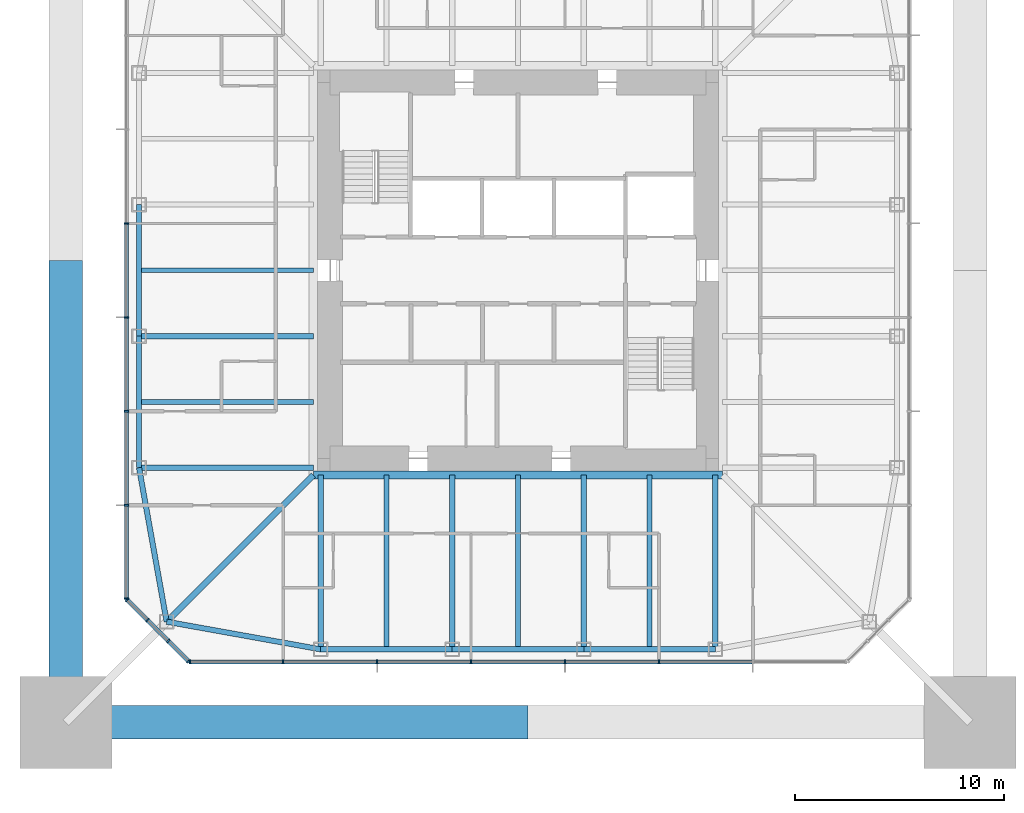
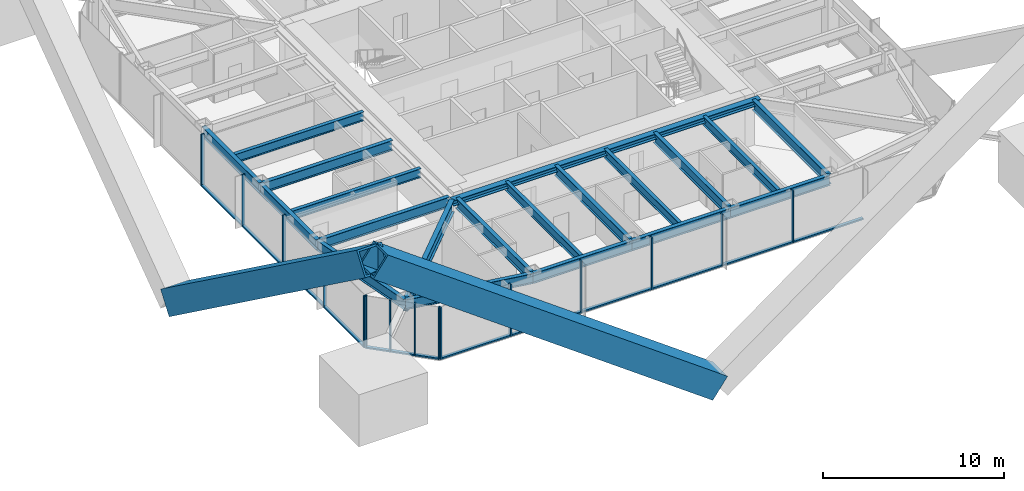
# One storey, part 2 of 13: 30 members, 20 beams, 3 elements without a shape of their own.
"""IFC4 building model written with IfcOpenShell, lengths in metres."""

from ifc_helpers import new_model, si_unit, direction, frame, origin, origin_2d, place, context, subcontext, project, spatial, rectangle, hollow_rectangle, i_section, extrude, material, material_profile, profile_set, type_object, element, aggregate, save


model = new_model("IFC4")

# Units and contexts
model_context = context("Model", 3, precision=1e-05, world=origin(), true_north=direction((0.0, 1.0)))
body_context = subcontext(model_context, "Body", "Model", "MODEL_VIEW")
ifc_project = project(units=[si_unit("LENGTHUNIT", "METRE"), si_unit("AREAUNIT", "SQUARE_METRE"), si_unit("VOLUMEUNIT", "CUBIC_METRE"), si_unit("PLANEANGLEUNIT", "RADIAN"), si_unit("MASSUNIT", "GRAM", prefix="KILO")], contexts=[model_context])

# Site, building, storey
site_placement = place(None, origin())
site = spatial("IfcSite", under=ifc_project, at=site_placement, CompositionType="ELEMENT")
building_placement = place(site_placement, origin())
building = spatial("IfcBuilding", under=site, at=building_placement, Name="Iwan Alto Co-Living Towers", CompositionType="ELEMENT")
storey_placement = place(building_placement, frame((0.0, 0.0, 198.5)))
storey = spatial("IfcBuildingStorey", under=building, at=storey_placement, Name="L54", CompositionType="ELEMENT", Elevation=198.5)

# Curtain wall, members
ifc_material_1 = material(Name="Bronze aluminium unitised frame", Category="aluminium")
curtain_wall_type_1 = type_object("IfcCurtainWallType", Name="CURTAIN WALL CW-A", PredefinedType="NOTDEFINED", material=ifc_material_1)
curtain_wall_1_placement = place(storey_placement, origin())
curtain_wall_1 = element("IfcCurtainWall", 1, at=curtain_wall_1_placement, inside=storey, type_object=curtain_wall_type_1, Name="T1 curtain wall S L54", PredefinedType="NOTDEFINED")
ifc_material_2 = material(Name="Aluminium 6063-T6 bronze anodised", Category="aluminium")
ifc_material_profile_1 = material_profile(ifc_material_2, rectangle(XDim=0.199951171875, YDim=0.080078125, at=origin_2d()), Name="AL 80X200")
ifc_profile_set_1 = profile_set([ifc_material_profile_1], Name="Aluminium 6063-T6 bronze anodised")
member_type_1 = type_object("IfcMemberType", Name="CW-A MULLION 80X200", PredefinedType="MULLION", material=ifc_profile_set_1)
member_1_placement = place(storey_placement, frame((-15.7099609375, -18.75, 0.0), z_axis=(0.0, 0.0, 1.0), x_axis=(0.0, 1.0, 0.0)))
member_1 = element("IfcMember", 2, at=member_1_placement, type_object=member_type_1, Name="CW-A mullion 1", PredefinedType="MULLION", context=body_context, shape_type="SweptSolid", body=[
    extrude(rectangle(XDim=0.199951171875, YDim=0.080078125, at=origin_2d()), origin(), (0.0, 0.0, 1.0), 3.5),
])
member_2_placement = place(storey_placement, frame((-11.25, -18.75, 0.0), z_axis=(0.0, 0.0, 1.0), x_axis=(0.0, 1.0, 0.0)))
member_2 = element("IfcMember", 3, at=member_2_placement, type_object=member_type_1, Name="CW-A mullion 2", PredefinedType="MULLION", context=body_context, shape_type="SweptSolid", body=[
    extrude(rectangle(XDim=0.199951171875, YDim=0.080078125, at=origin_2d()), origin(), (0.0, 0.0, 1.0), 3.5),
])
member_3_placement = place(storey_placement, frame((-6.75, -18.75, 0.0), z_axis=(0.0, 0.0, 1.0), x_axis=(0.0, 1.0, 0.0)))
member_3 = element("IfcMember", 4, at=member_3_placement, type_object=member_type_1, Name="CW-A mullion 3", PredefinedType="MULLION", context=body_context, shape_type="SweptSolid", body=[
    extrude(rectangle(XDim=0.199951171875, YDim=0.080078125, at=origin_2d()), origin(), (0.0, 0.0, 1.0), 3.5),
])
member_4_placement = place(storey_placement, frame((-2.25, -18.75, 0.0), z_axis=(0.0, 0.0, 1.0), x_axis=(0.0, 1.0, 0.0)))
member_4 = element("IfcMember", 5, at=member_4_placement, type_object=member_type_1, Name="CW-A mullion 4", PredefinedType="MULLION", context=body_context, shape_type="SweptSolid", body=[
    extrude(rectangle(XDim=0.199951171875, YDim=0.080078125, at=origin_2d()), origin(), (0.0, 0.0, 1.0), 3.5),
])
member_5_placement = place(storey_placement, frame((2.25, -18.75, 0.0), z_axis=(0.0, 0.0, 1.0), x_axis=(0.0, 1.0, 0.0)))
member_5 = element("IfcMember", 6, at=member_5_placement, type_object=member_type_1, Name="CW-A mullion 5", PredefinedType="MULLION", context=body_context, shape_type="SweptSolid", body=[
    extrude(rectangle(XDim=0.199951171875, YDim=0.080078125, at=origin_2d()), origin(), (0.0, 0.0, 1.0), 3.5),
])
member_6_placement = place(storey_placement, frame((6.75, -18.75, 0.0), z_axis=(0.0, 0.0, 1.0), x_axis=(0.0, 1.0, 0.0)))
member_6 = element("IfcMember", 7, at=member_6_placement, type_object=member_type_1, Name="CW-A mullion 6", PredefinedType="MULLION", context=body_context, shape_type="SweptSolid", body=[
    extrude(rectangle(XDim=0.199951171875, YDim=0.080078125, at=origin_2d()), origin(), (0.0, 0.0, 1.0), 3.5),
])

curtain_wall_2_placement = place(storey_placement, origin())
curtain_wall_2 = element("IfcCurtainWall", 8, at=curtain_wall_2_placement, inside=storey, type_object=curtain_wall_type_1, Name="T1 curtain wall W L54", PredefinedType="NOTDEFINED")
member_7_placement = place(storey_placement, frame((-18.75, 2.25, 0.0), z_axis=(0.0, 0.0, 1.0), x_axis=(1.0, 0.0, 0.0)))
member_7 = element("IfcMember", 9, at=member_7_placement, type_object=member_type_1, Name="CW-A mullion 4", PredefinedType="MULLION", context=body_context, shape_type="SweptSolid", body=[
    extrude(rectangle(XDim=0.199951171875, YDim=0.080078125, at=origin_2d()), origin(), (0.0, 0.0, 1.0), 3.5),
])
member_8_placement = place(storey_placement, frame((-18.75, -2.25, 0.0), z_axis=(0.0, 0.0, 1.0), x_axis=(1.0, 0.0, 0.0)))
member_8 = element("IfcMember", 10, at=member_8_placement, type_object=member_type_1, Name="CW-A mullion 5", PredefinedType="MULLION", context=body_context, shape_type="SweptSolid", body=[
    extrude(rectangle(XDim=0.199951171875, YDim=0.080078125, at=origin_2d()), origin(), (0.0, 0.0, 1.0), 3.5),
])
member_9_placement = place(storey_placement, frame((-18.75, -6.75, 0.0), z_axis=(0.0, 0.0, 1.0), x_axis=(1.0, 0.0, 0.0)))
member_9 = element("IfcMember", 11, at=member_9_placement, type_object=member_type_1, Name="CW-A mullion 6", PredefinedType="MULLION", context=body_context, shape_type="SweptSolid", body=[
    extrude(rectangle(XDim=0.199951171875, YDim=0.080078125, at=origin_2d()), origin(), (0.0, 0.0, 1.0), 3.5),
])
member_10_placement = place(storey_placement, frame((-18.75, -11.25, 0.0), z_axis=(0.0, 0.0, 1.0), x_axis=(1.0, 0.0, 0.0)))
member_10 = element("IfcMember", 12, at=member_10_placement, type_object=member_type_1, Name="CW-A mullion 7", PredefinedType="MULLION", context=body_context, shape_type="SweptSolid", body=[
    extrude(rectangle(XDim=0.199951171875, YDim=0.080078125, at=origin_2d()), origin(), (0.0, 0.0, 1.0), 3.5),
])
member_11_placement = place(storey_placement, frame((-18.75, -15.7099609375, 0.0), z_axis=(0.0, 0.0, 1.0), x_axis=(1.0, 0.0, 0.0)))
member_11 = element("IfcMember", 13, at=member_11_placement, type_object=member_type_1, Name="CW-A mullion 8", PredefinedType="MULLION", context=body_context, shape_type="SweptSolid", body=[
    extrude(rectangle(XDim=0.199951171875, YDim=0.080078125, at=origin_2d()), origin(), (0.0, 0.0, 1.0), 3.5),
])

# Member
ifc_material_3 = material(Name="Aluminium 6063-T6 bronze anodised", Category="aluminium")
ifc_material_profile_2 = material_profile(ifc_material_3, rectangle(XDim=0.199951171875, YDim=0.10009765625, at=origin_2d()), Name="AL 200X100")
ifc_profile_set_2 = profile_set([ifc_material_profile_2], Name="Aluminium 6063-T6 bronze anodised")
member_type_2 = type_object("IfcMemberType", Name="CW-A TRANSOM 200X100", PredefinedType="USERDEFINED", material=ifc_profile_set_2)
member_12_placement = place(storey_placement, frame((-15.669921875, -18.75, 0.050048828125), z_axis=(1.0, 0.0, 0.0), x_axis=(0.0, 1.0, 0.0)))
member_12 = element("IfcMember", 14, at=member_12_placement, type_object=member_type_2, Name="CW-A transom 1.1", ObjectType="TRANSOM", PredefinedType="USERDEFINED", context=body_context, shape_type="SweptSolid", body=[
    extrude(rectangle(XDim=0.199951171875, YDim=0.10009765625, at=origin_2d()), origin(), (0.0, 0.0, 1.0), 4.3798828125),
])

member_13_placement = place(storey_placement, frame((-11.2099609375, -18.75, 0.050048828125), z_axis=(1.0, 0.0, 0.0), x_axis=(0.0, 1.0, 0.0)))
member_13 = element("IfcMember", 15, at=member_13_placement, type_object=member_type_2, Name="CW-A transom 2.1", ObjectType="TRANSOM", PredefinedType="USERDEFINED", context=body_context, shape_type="SweptSolid", body=[
    extrude(rectangle(XDim=0.199951171875, YDim=0.10009765625, at=origin_2d()), origin(), (0.0, 0.0, 1.0), 4.419921875),
])

member_14_placement = place(storey_placement, frame((-6.7099609375, -18.75, 0.050048828125), z_axis=(1.0, 0.0, 0.0), x_axis=(0.0, 1.0, 0.0)))
member_14 = element("IfcMember", 16, at=member_14_placement, type_object=member_type_2, Name="CW-A transom 3.1", ObjectType="TRANSOM", PredefinedType="USERDEFINED", context=body_context, shape_type="SweptSolid", body=[
    extrude(rectangle(XDim=0.199951171875, YDim=0.10009765625, at=origin_2d()), origin(), (0.0, 0.0, 1.0), 4.419921875),
])

member_15_placement = place(storey_placement, frame((-2.2099609375, -18.75, 0.050048828125), z_axis=(1.0, 0.0, 0.0), x_axis=(0.0, 1.0, 0.0)))
member_15 = element("IfcMember", 17, at=member_15_placement, type_object=member_type_2, Name="CW-A transom 4.1", ObjectType="TRANSOM", PredefinedType="USERDEFINED", context=body_context, shape_type="SweptSolid", body=[
    extrude(rectangle(XDim=0.199951171875, YDim=0.10009765625, at=origin_2d()), origin(), (0.0, 0.0, 1.0), 4.419921875),
])

member_16_placement = place(storey_placement, frame((2.2900390625, -18.75, 0.050048828125), z_axis=(1.0, 0.0, 0.0), x_axis=(0.0, 1.0, 0.0)))
member_16 = element("IfcMember", 18, at=member_16_placement, type_object=member_type_2, Name="CW-A transom 5.1", ObjectType="TRANSOM", PredefinedType="USERDEFINED", context=body_context, shape_type="SweptSolid", body=[
    extrude(rectangle(XDim=0.199951171875, YDim=0.10009765625, at=origin_2d()), origin(), (0.0, 0.0, 1.0), 4.419921875),
])

member_17_placement = place(storey_placement, frame((6.7900390625, -18.75, 0.050048828125), z_axis=(1.0, 0.0, 0.0), x_axis=(0.0, 1.0, 0.0)))
member_17 = element("IfcMember", 19, at=member_17_placement, type_object=member_type_2, Name="CW-A transom 6.1", ObjectType="TRANSOM", PredefinedType="USERDEFINED", context=body_context, shape_type="SweptSolid", body=[
    extrude(rectangle(XDim=0.199951171875, YDim=0.10009765625, at=origin_2d()), origin(), (0.0, 0.0, 1.0), 4.419921875),
])

aggregate(curtain_wall_1, [member_1, member_2, member_3, member_4, member_5, member_6, member_12, member_13, member_14, member_15, member_16, member_17])

member_18_placement = place(storey_placement, frame((-18.75, 2.2099609375, 0.050048828125), z_axis=(0.0, -1.0, 0.0), x_axis=(1.0, 0.0, 0.0)))
member_18 = element("IfcMember", 20, at=member_18_placement, type_object=member_type_2, Name="CW-A transom 4.1", ObjectType="TRANSOM", PredefinedType="USERDEFINED", context=body_context, shape_type="SweptSolid", body=[
    extrude(rectangle(XDim=0.199951171875, YDim=0.10009765625, at=origin_2d()), origin(), (0.0, 0.0, 1.0), 4.419921875),
])

member_19_placement = place(storey_placement, frame((-18.75, -2.2900390625, 0.050048828125), z_axis=(0.0, -1.0, 0.0), x_axis=(1.0, 0.0, 0.0)))
member_19 = element("IfcMember", 21, at=member_19_placement, type_object=member_type_2, Name="CW-A transom 5.1", ObjectType="TRANSOM", PredefinedType="USERDEFINED", context=body_context, shape_type="SweptSolid", body=[
    extrude(rectangle(XDim=0.199951171875, YDim=0.10009765625, at=origin_2d()), origin(), (0.0, 0.0, 1.0), 4.419921875),
])

member_20_placement = place(storey_placement, frame((-18.75, -6.7900390625, 0.050048828125), z_axis=(0.0, -1.0, 0.0), x_axis=(1.0, 0.0, 0.0)))
member_20 = element("IfcMember", 22, at=member_20_placement, type_object=member_type_2, Name="CW-A transom 6.1", ObjectType="TRANSOM", PredefinedType="USERDEFINED", context=body_context, shape_type="SweptSolid", body=[
    extrude(rectangle(XDim=0.199951171875, YDim=0.10009765625, at=origin_2d()), origin(), (0.0, 0.0, 1.0), 4.419921875),
])

member_21_placement = place(storey_placement, frame((-18.75, -11.2900390625, 0.050048828125), z_axis=(0.0, -1.0, 0.0), x_axis=(1.0, 0.0, 0.0)))
member_21 = element("IfcMember", 23, at=member_21_placement, type_object=member_type_2, Name="CW-A transom 7.1", ObjectType="TRANSOM", PredefinedType="USERDEFINED", context=body_context, shape_type="SweptSolid", body=[
    extrude(rectangle(XDim=0.199951171875, YDim=0.10009765625, at=origin_2d()), origin(), (0.0, 0.0, 1.0), 4.3798828125),
])

aggregate(curtain_wall_2, [member_7, member_8, member_9, member_10, member_11, member_18, member_19, member_20, member_21])

# Curtain wall, members
ifc_material_4 = material(Name="Bronze aluminium unitised frame", Category="aluminium")
curtain_wall_type_2 = type_object("IfcCurtainWallType", Name="CURTAIN WALL CW-B", PredefinedType="NOTDEFINED", material=ifc_material_4)
curtain_wall_3_placement = place(storey_placement, origin())
curtain_wall_3 = element("IfcCurtainWall", 24, at=curtain_wall_3_placement, inside=storey, type_object=curtain_wall_type_2, Name="T1 chamfer curtain wall SW L54", PredefinedType="NOTDEFINED")
ifc_material_5 = material(Name="Aluminium 6063-T6 bronze anodised", Category="aluminium")
ifc_material_profile_3 = material_profile(ifc_material_5, rectangle(XDim=0.199951171875, YDim=0.080078125, at=origin_2d()), Name="AL 80X200")
ifc_profile_set_3 = profile_set([ifc_material_profile_3], Name="Aluminium 6063-T6 bronze anodised")
member_type_3 = type_object("IfcMemberType", Name="CW-B MULLION 80X200", PredefinedType="MULLION", material=ifc_profile_set_3)
member_22_placement = place(storey_placement, frame((-18.7216796875, -15.7783203125, 0.0), z_axis=(0.0, 0.0, 1.0), x_axis=(0.707106781187, 0.707106781187, 0.0)))
member_22 = element("IfcMember", 25, at=member_22_placement, type_object=member_type_3, Name="CW-B mullion 1", PredefinedType="MULLION", context=body_context, shape_type="SweptSolid", body=[
    extrude(rectangle(XDim=0.199951171875, YDim=0.080078125, at=origin_2d()), origin(), (0.0, 0.0, 1.0), 3.5),
])
member_23_placement = place(storey_placement, frame((-17.75, -16.75, 0.0), z_axis=(0.0, 0.0, 1.0), x_axis=(0.707106781187, 0.707106781187, 0.0)))
member_23 = element("IfcMember", 26, at=member_23_placement, type_object=member_type_3, Name="CW-B mullion 2", PredefinedType="MULLION", context=body_context, shape_type="SweptSolid", body=[
    extrude(rectangle(XDim=0.199951171875, YDim=0.080078125, at=origin_2d()), origin(), (0.0, 0.0, 1.0), 3.5),
])
member_24_placement = place(storey_placement, frame((-16.75, -17.75, 0.0), z_axis=(0.0, 0.0, 1.0), x_axis=(0.707106781187, 0.707106781187, 0.0)))
member_24 = element("IfcMember", 27, at=member_24_placement, type_object=member_type_3, Name="CW-B mullion 3", PredefinedType="MULLION", context=body_context, shape_type="SweptSolid", body=[
    extrude(rectangle(XDim=0.199951171875, YDim=0.080078125, at=origin_2d()), origin(), (0.0, 0.0, 1.0), 3.5),
])
member_25_placement = place(storey_placement, frame((-15.7783203125, -18.7216796875, 0.0), z_axis=(0.0, 0.0, 1.0), x_axis=(0.707106781187, 0.707106781187, 0.0)))
member_25 = element("IfcMember", 28, at=member_25_placement, type_object=member_type_3, Name="CW-B mullion 4", PredefinedType="MULLION", context=body_context, shape_type="SweptSolid", body=[
    extrude(rectangle(XDim=0.199951171875, YDim=0.080078125, at=origin_2d()), origin(), (0.0, 0.0, 1.0), 3.5),
])
ifc_material_6 = material(Name="Aluminium 6063-T6 bronze anodised", Category="aluminium")
ifc_material_profile_4 = material_profile(ifc_material_6, rectangle(XDim=0.199951171875, YDim=0.10009765625, at=origin_2d()), Name="AL 200X100")
ifc_profile_set_4 = profile_set([ifc_material_profile_4], Name="Aluminium 6063-T6 bronze anodised")
member_type_4 = type_object("IfcMemberType", Name="CW-B TRANSOM 200X100", PredefinedType="USERDEFINED", material=ifc_profile_set_4)
member_26_placement = place(storey_placement, frame((-18.693359375, -15.806640625, 0.050048828125), z_axis=(0.707106781187, -0.707106781187, 0.0), x_axis=(0.707106781187, 0.707106781187, 0.0)))
member_26 = element("IfcMember", 29, at=member_26_placement, type_object=member_type_4, Name="CW-B transom 1.1", ObjectType="TRANSOM", PredefinedType="USERDEFINED", context=body_context, shape_type="SweptSolid", body=[
    extrude(rectangle(XDim=0.199951171875, YDim=0.10009765625, at=origin_2d()), origin(), (0.0, 0.0, 1.0), 1.2939453125),
])
member_27_placement = place(storey_placement, frame((-17.7216796875, -16.7783203125, 0.050048828125), z_axis=(0.707106781187, -0.707106781187, 0.0), x_axis=(0.707106781187, 0.707106781187, 0.0)))
member_27 = element("IfcMember", 30, at=member_27_placement, type_object=member_type_4, Name="CW-B transom 2.1", ObjectType="TRANSOM", PredefinedType="USERDEFINED", context=body_context, shape_type="SweptSolid", body=[
    extrude(rectangle(XDim=0.199951171875, YDim=0.10009765625, at=origin_2d()), origin(), (0.0, 0.0, 1.0), 1.334228515625),
])
member_28_placement = place(storey_placement, frame((-16.7216796875, -17.7783203125, 0.050048828125), z_axis=(0.707106781187, -0.707106781187, 0.0), x_axis=(0.707106781187, 0.707106781187, 0.0)))
member_28 = element("IfcMember", 31, at=member_28_placement, type_object=member_type_4, Name="CW-B transom 3.1", ObjectType="TRANSOM", PredefinedType="USERDEFINED", context=body_context, shape_type="SweptSolid", body=[
    extrude(rectangle(XDim=0.199951171875, YDim=0.10009765625, at=origin_2d()), origin(), (0.0, 0.0, 1.0), 1.2939453125),
])
aggregate(curtain_wall_3, [member_22, member_23, member_24, member_25, member_26, member_27, member_28])

# Beams
ifc_material_7 = material(Name="Steel ASTM A992 Gr 50", Category="steel")
ifc_material_profile_5 = material_profile(ifc_material_7, i_section(OverallWidth=0.398681640625, OverallDepth=0.385986328125, WebThickness=0.02099609375, FlangeThickness=0.033203125, at=origin_2d()), Name="W14X176")
ifc_profile_set_5 = profile_set([ifc_material_profile_5], Name="Steel ASTM A992 Gr 50")
beam_type_1 = type_object("IfcBeamType", Name="T1 CORE LEDGER BEAM W14X176", PredefinedType="BEAM", material=ifc_profile_set_5)
beam_1_placement = place(storey_placement, frame((-9.79931640625, -9.79931640625, 3.076904296875), z_axis=(1.0, 0.0, 0.0), x_axis=(0.0, 1.0, 0.0)))
element("IfcBeam", 32, at=beam_1_placement, inside=storey, type_object=beam_type_1, Name="T1 core ledger beam S L55", PredefinedType="BEAM", context=body_context, shape_type="SweptSolid", body=[
    extrude(i_section(OverallWidth=0.398681640625, OverallDepth=0.385986328125, WebThickness=0.02099609375, FlangeThickness=0.033203125, at=origin_2d()), origin(), (0.0, 0.0, 1.0), 19.5986328125),
])
ifc_material_8 = material(Name="Steel ASTM A992 Gr 50", Category="steel")
ifc_material_profile_6 = material_profile(ifc_material_8, i_section(OverallWidth=0.2919921875, OverallDepth=0.8408203125, WebThickness=0.0146484375, FlangeThickness=0.021728515625, at=origin_2d()), Name="W33X130")
ifc_profile_set_6 = profile_set([ifc_material_profile_6], Name="Steel ASTM A992 Gr 50")
beam_type_2 = type_object("IfcBeamType", Name="T1 CORNER GIRDER W33X130", PredefinedType="BEAM", material=ifc_profile_set_6)
beam_2_placement = place(storey_placement, frame((-16.82568359375, -16.82568359375, 2.849609375), z_axis=(0.707106781187, 0.707106781187, 0.0), x_axis=(-0.707106781187, 0.707106781187, 0.0)))
element("IfcBeam", 33, at=beam_2_placement, inside=storey, type_object=beam_type_2, Name="T1 corner girder CSW L55", PredefinedType="BEAM", context=body_context, shape_type="SweptSolid", body=[
    extrude(i_section(OverallWidth=0.2919921875, OverallDepth=0.8408203125, WebThickness=0.0146484375, FlangeThickness=0.021728515625, at=origin_2d()), origin(), (0.0, 0.0, 1.0), 9.936767578125),
])
ifc_material_9 = material(Name="Steel ASTM A992 Gr 50", Category="steel")
ifc_material_profile_7 = material_profile(ifc_material_9, i_section(OverallWidth=0.25390625, OverallDepth=0.683349609375, WebThickness=0.012451171875, FlangeThickness=0.018798828125, at=origin_2d()), Name="W27X94")
ifc_profile_set_7 = profile_set([ifc_material_profile_7], Name="Steel ASTM A992 Gr 50")
beam_type_3 = type_object("IfcBeamType", Name="T1 EDGE BEAM W27X94", PredefinedType="BEAM", material=ifc_profile_set_7)
beam_3_placement = place(storey_placement, frame((-16.82568359375, -16.82568359375, 2.928466796875), z_axis=(0.98426263553, -0.17671181143, 0.0), x_axis=(0.17671181143, 0.98426263553, 0.0)))
element("IfcBeam", 34, at=beam_3_placement, inside=storey, type_object=beam_type_3, Name="T1 edge beam CSW L55", PredefinedType="BEAM", context=body_context, shape_type="SweptSolid", body=[
    extrude(i_section(OverallWidth=0.25390625, OverallDepth=0.683349609375, WebThickness=0.012451171875, FlangeThickness=0.018798828125, at=origin_2d()), origin(), (0.0, 0.0, 1.0), 7.49365234375),
])
beam_4_placement = place(storey_placement, frame((-9.449951171875, -18.14990234375, 2.928466796875), z_axis=(1.0, 0.0, 0.0), x_axis=(0.0, 1.0, 0.0)))
element("IfcBeam", 35, at=beam_4_placement, inside=storey, type_object=beam_type_3, Name="T1 edge beam S1 L55", PredefinedType="BEAM", context=body_context, shape_type="SweptSolid", body=[
    extrude(i_section(OverallWidth=0.25390625, OverallDepth=0.683349609375, WebThickness=0.012451171875, FlangeThickness=0.018798828125, at=origin_2d()), origin(), (0.0, 0.0, 1.0), 6.300048828125),
])
beam_5_placement = place(storey_placement, frame((-3.14990234375, -18.14990234375, 2.928466796875), z_axis=(1.0, 0.0, 0.0), x_axis=(0.0, 1.0, 0.0)))
element("IfcBeam", 36, at=beam_5_placement, inside=storey, type_object=beam_type_3, Name="T1 edge beam S2 L55", PredefinedType="BEAM", context=body_context, shape_type="SweptSolid", body=[
    extrude(i_section(OverallWidth=0.25390625, OverallDepth=0.683349609375, WebThickness=0.012451171875, FlangeThickness=0.018798828125, at=origin_2d()), origin(), (0.0, 0.0, 1.0), 6.2998046875),
])
beam_6_placement = place(storey_placement, frame((3.14990234375, -18.14990234375, 2.928466796875), z_axis=(1.0, 0.0, 0.0), x_axis=(0.0, 1.0, 0.0)))
element("IfcBeam", 37, at=beam_6_placement, inside=storey, type_object=beam_type_3, Name="T1 edge beam S3 L55", PredefinedType="BEAM", context=body_context, shape_type="SweptSolid", body=[
    extrude(i_section(OverallWidth=0.25390625, OverallDepth=0.683349609375, WebThickness=0.012451171875, FlangeThickness=0.018798828125, at=origin_2d()), origin(), (0.0, 0.0, 1.0), 6.300048828125),
])
beam_7_placement = place(storey_placement, frame((-18.14990234375, 3.14990234375, 2.928466796875), z_axis=(0.0, -1.0, 0.0), x_axis=(1.0, 0.0, 0.0)))
element("IfcBeam", 38, at=beam_7_placement, inside=storey, type_object=beam_type_3, Name="T1 edge beam W2 L55", PredefinedType="BEAM", context=body_context, shape_type="SweptSolid", body=[
    extrude(i_section(OverallWidth=0.25390625, OverallDepth=0.683349609375, WebThickness=0.012451171875, FlangeThickness=0.018798828125, at=origin_2d()), origin(), (0.0, 0.0, 1.0), 6.2998046875),
])
beam_8_placement = place(storey_placement, frame((-18.14990234375, -3.14990234375, 2.928466796875), z_axis=(0.0, -1.0, 0.0), x_axis=(1.0, 0.0, 0.0)))
element("IfcBeam", 39, at=beam_8_placement, inside=storey, type_object=beam_type_3, Name="T1 edge beam W3 L55", PredefinedType="BEAM", context=body_context, shape_type="SweptSolid", body=[
    extrude(i_section(OverallWidth=0.25390625, OverallDepth=0.683349609375, WebThickness=0.012451171875, FlangeThickness=0.018798828125, at=origin_2d()), origin(), (0.0, 0.0, 1.0), 6.300048828125),
])
beam_9_placement = place(storey_placement, frame((-18.14990234375, -9.449951171875, 2.928466796875), z_axis=(0.17671181143, -0.98426263553, 0.0), x_axis=(0.98426263553, 0.17671181143, 0.0)))
element("IfcBeam", 40, at=beam_9_placement, inside=storey, type_object=beam_type_3, Name="T1 edge beam W4 L55", PredefinedType="BEAM", context=body_context, shape_type="SweptSolid", body=[
    extrude(i_section(OverallWidth=0.25390625, OverallDepth=0.683349609375, WebThickness=0.012451171875, FlangeThickness=0.018798828125, at=origin_2d()), origin(), (0.0, 0.0, 1.0), 7.49365234375),
])

# Members
ifc_material_10 = material(Name="Steel ASTM A572 Gr 42", Category="steel")
ifc_material_profile_8 = material_profile(ifc_material_10, hollow_rectangle(XDim=1.60009765625, YDim=1.60009765625, WallThickness=0.1201171875, at=origin_2d()), Name="BOX 1600X1600X120")
ifc_profile_set_8 = profile_set([ifc_material_profile_8], Name="Steel ASTM A572 Gr 42")
member_type_5 = type_object("IfcMemberType", Name="T1 MEGA BRACE BOX 1600X1600X120", PredefinedType="BRACE", material=ifc_profile_set_8)
for number, where, z_axis, x_axis, name in (
    (41, (0.0, -21.64990234375, -5.25), (-0.808654054795, 0.0, 0.588284471717), (0.0, -1.0, 0.0), "T1 mega brace Z3B S 2 upper"),
    (42, (-21.64990234375, 0.0, -5.25), (0.0, -0.808654054795, 0.588284471717), (1.0, 0.0, 0.0), "T1 mega brace Z3B W 1 upper"),
):
    element("IfcMember", number, at=place(storey_placement, frame(where, z_axis=z_axis, x_axis=x_axis)), inside=storey, type_object=member_type_5, Name=name, PredefinedType="BRACE", context=body_context, shape_type="SweptSolid", body=[
        extrude(hollow_rectangle(XDim=1.60009765625, YDim=1.60009765625, WallThickness=0.1201171875, at=origin_2d()), origin(), (0.0, 0.0, 1.0), 26.772705078125),
    ])

# Beams
ifc_material_11 = material(Name="Steel ASTM A992 Gr 50", Category="steel")
ifc_material_profile_9 = material_profile(ifc_material_11, i_section(OverallWidth=0.25390625, OverallDepth=0.683349609375, WebThickness=0.012451171875, FlangeThickness=0.018798828125, at=origin_2d()), Name="W27X94")
ifc_profile_set_9 = profile_set([ifc_material_profile_9], Name="Steel ASTM A992 Gr 50")
beam_type_4 = type_object("IfcBeamType", Name="T1 RADIAL BEAM W27X94", PredefinedType="BEAM", material=ifc_profile_set_9)
for number, where, z_axis, x_axis, name in (
    (43, (-9.449951171875, -18.14990234375, 2.928466796875), (0.0, 1.0, 0.0), (-1.0, 0.0, 0.0), "T1 radial beam S1 L55"),
    (44, (-3.14990234375, -18.14990234375, 2.928466796875), (0.0, 1.0, 0.0), (-1.0, 0.0, 0.0), "T1 radial beam S2 L55"),
    (45, (3.14990234375, -18.14990234375, 2.928466796875), (0.0, 1.0, 0.0), (-1.0, 0.0, 0.0), "T1 radial beam S3 L55"),
    (46, (9.449951171875, -18.14990234375, 2.928466796875), (0.0, 1.0, 0.0), (-1.0, 0.0, 0.0), "T1 radial beam S4 L55"),
    (47, (-18.14990234375, -3.14990234375, 2.928466796875), (1.0, 0.0, 0.0), (0.0, 1.0, 0.0), "T1 radial beam W3 L55"),
    (48, (-18.14990234375, -9.449951171875, 2.928466796875), (1.0, 0.0, 0.0), (0.0, 1.0, 0.0), "T1 radial beam W4 L55"),
):
    element("IfcBeam", number, at=place(storey_placement, frame(where, z_axis=z_axis, x_axis=x_axis)), inside=storey, type_object=beam_type_4, Name=name, PredefinedType="BEAM", context=body_context, shape_type="SweptSolid", body=[
        extrude(i_section(OverallWidth=0.25390625, OverallDepth=0.683349609375, WebThickness=0.012451171875, FlangeThickness=0.018798828125, at=origin_2d()), origin(), (0.0, 0.0, 1.0), 8.3505859375),
    ])
ifc_material_12 = material(Name="Steel ASTM A992 Gr 50", Category="steel")
ifc_material_profile_10 = material_profile(ifc_material_12, i_section(OverallWidth=0.228271484375, OverallDepth=0.607177734375, WebThickness=0.01123046875, FlangeThickness=0.017333984375, at=origin_2d()), Name="W24X76")
ifc_profile_set_10 = profile_set([ifc_material_profile_10], Name="Steel ASTM A992 Gr 50")
beam_type_5 = type_object("IfcBeamType", Name="T1 SECONDARY BEAM W24X76", PredefinedType="JOIST", material=ifc_profile_set_10)
for number, where, z_axis, x_axis, name in (
    (49, (-6.300048828125, -18.14990234375, 2.966552734375), (0.0, 1.0, 0.0), (-1.0, 0.0, 0.0), "T1 secondary beam S1 L55"),
    (50, (0.0, -18.14990234375, 2.966552734375), (0.0, 1.0, 0.0), (-1.0, 0.0, 0.0), "T1 secondary beam S2 L55"),
    (51, (6.300048828125, -18.14990234375, 2.966552734375), (0.0, 1.0, 0.0), (-1.0, 0.0, 0.0), "T1 secondary beam S3 L55"),
    (52, (-18.14990234375, 0.0, 2.966552734375), (1.0, 0.0, 0.0), (0.0, 1.0, 0.0), "T1 secondary beam W2 L55"),
    (53, (-18.14990234375, -6.300048828125, 2.966552734375), (1.0, 0.0, 0.0), (0.0, 1.0, 0.0), "T1 secondary beam W3 L55"),
):
    element("IfcBeam", number, at=place(storey_placement, frame(where, z_axis=z_axis, x_axis=x_axis)), inside=storey, type_object=beam_type_5, Name=name, PredefinedType="JOIST", context=body_context, shape_type="SweptSolid", body=[
        extrude(i_section(OverallWidth=0.228271484375, OverallDepth=0.607177734375, WebThickness=0.01123046875, FlangeThickness=0.017333984375, at=origin_2d()), origin(), (0.0, 0.0, 1.0), 8.3505859375),
    ])

save(model, "model.ifc")
